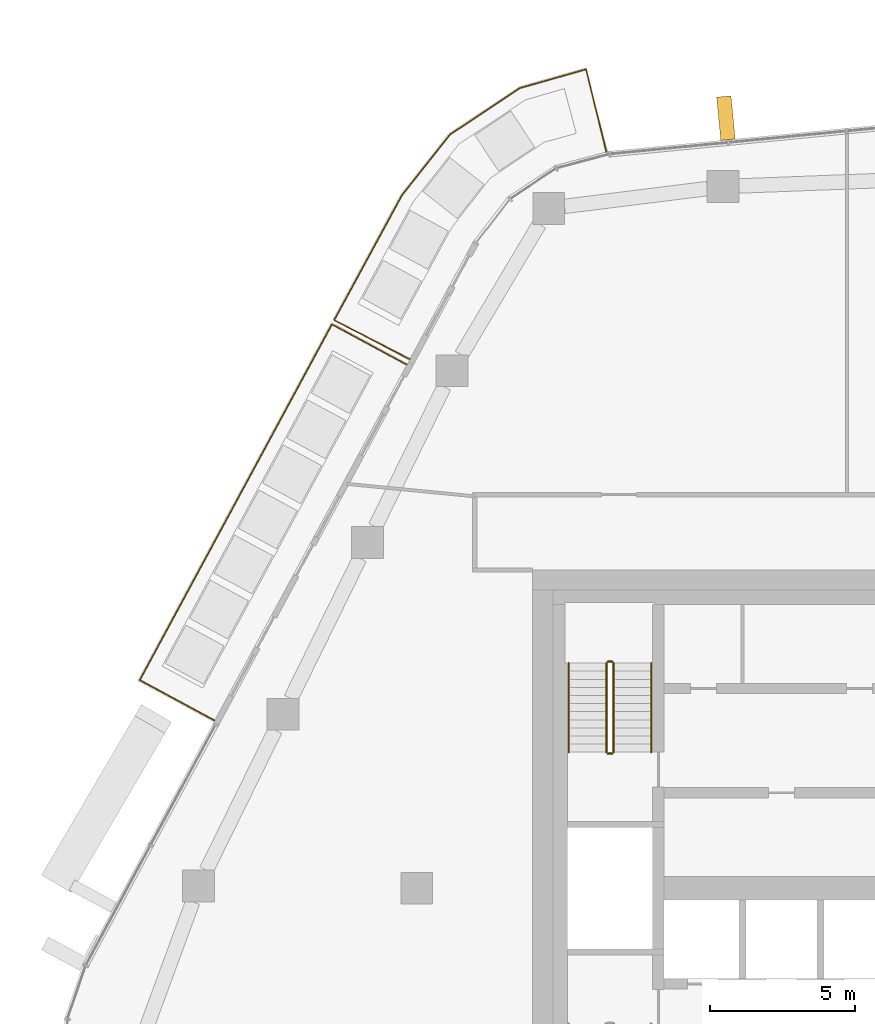
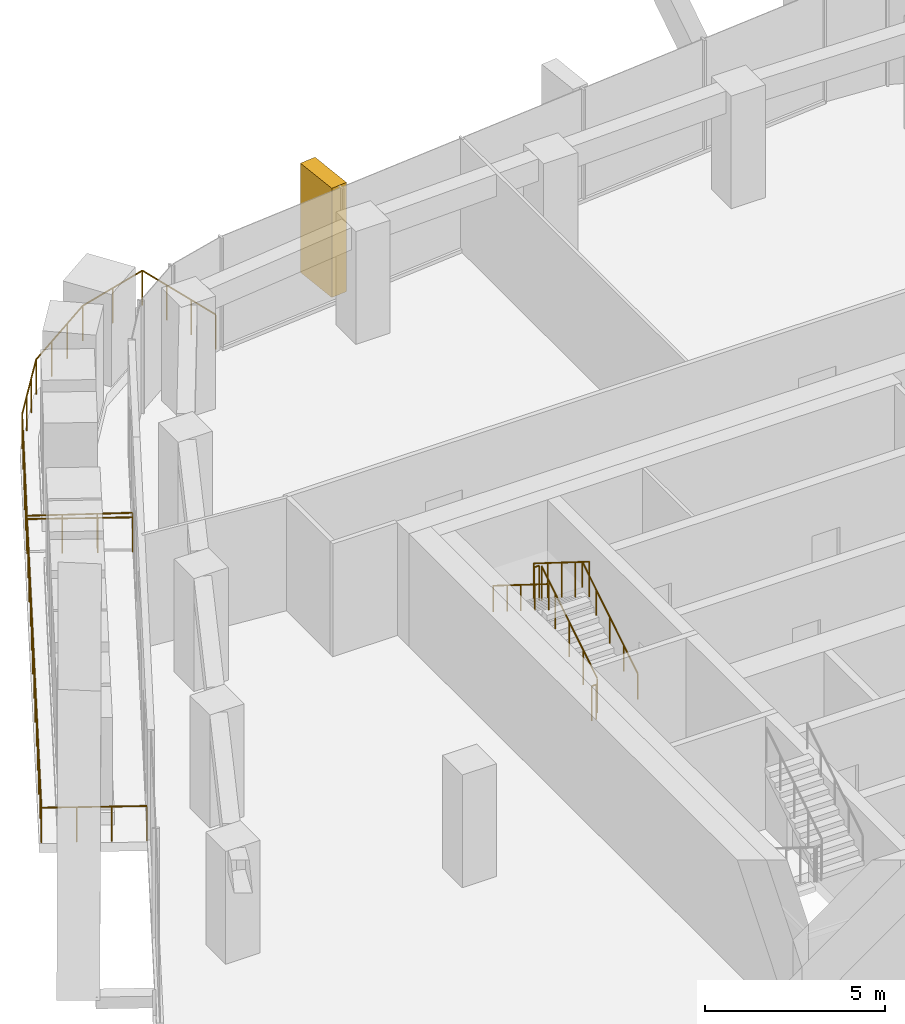
# One storey, part 18 of 20: 8 railings, 1 covering, 1 element without a shape of its own.
"""IFC4 building model written with IfcOpenShell, lengths in metres."""

from ifc_helpers import new_model, si_unit, direction, frame, origin, origin_2d, place, context, subcontext, project, spatial, rectangle, circle, extrude, material, layer, layer_set, material_profile, profile_set, type_object, element, aggregate, save


model = new_model("IFC4")

# Units and contexts
model_context = context("Model", 3, precision=1e-05, world=origin(), true_north=direction((0.0, 1.0)))
body_context = subcontext(model_context, "Body", "Model", "MODEL_VIEW")
ifc_project = project(units=[si_unit("LENGTHUNIT", "METRE"), si_unit("AREAUNIT", "SQUARE_METRE"), si_unit("VOLUMEUNIT", "CUBIC_METRE"), si_unit("PLANEANGLEUNIT", "RADIAN"), si_unit("MASSUNIT", "GRAM", prefix="KILO")], contexts=[model_context])

# Site, building, storey
site_placement = place(None, origin())
site = spatial("IfcSite", under=ifc_project, at=site_placement, CompositionType="ELEMENT")
building_placement = place(site_placement, origin())
building = spatial("IfcBuilding", under=site, at=building_placement, Name="Dongbaek Canopy Tower", CompositionType="ELEMENT")
storey_placement = place(building_placement, frame((0.0, 0.0, 253.800048828125)))
storey = spatial("IfcBuildingStorey", under=building, at=storey_placement, Name="L53", CompositionType="ELEMENT", Elevation=253.800048828125)

# Railings
ifc_material_1 = material(Name="Stainless steel", Category="steel")
railing_type_1 = type_object("IfcRailingType", Name="Balcony balustrade 1200", PredefinedType="BALUSTRADE", material=ifc_material_1)
railing_1_placement = place(storey_placement, frame((-18.34375, 18.087158203125, 0.0)))
element("IfcRailing", 1, at=railing_1_placement, inside=storey, type_object=railing_type_1, Name="Balcony guard L53 2", PredefinedType="BALUSTRADE", context=body_context, shape_type="SweptSolid", body=[
    extrude(circle(Radius=0.02392578125, at=origin_2d()), frame((0.0, 0.0, 1.17578125), z_axis=(-0.879899842687, 0.475159201572, 0.0), x_axis=(-0.475159201572, -0.879899842687, 0.0)), (0.0, 0.0, 1.0), 2.93994140625),
    extrude(circle(Radius=0.02392578125, at=origin_2d()), frame((-2.5869140625, 1.39697265625, 1.17578125), z_axis=(-0.475204117879, -0.879875585723, 0.0), x_axis=(0.879875585723, -0.475204117879, 0.0)), (0.0, 0.0, 1.0), 13.97021484375),
    extrude(circle(Radius=0.02392578125, at=origin_2d()), frame((-9.2255859375, -10.89501953125, 1.17578125), z_axis=(0.879899842687, -0.475159201572, 0.0), x_axis=(0.475159201572, 0.879899842687, 0.0)), (0.0, 0.0, 1.0), 2.93994140625),
    extrude(circle(Radius=0.02099609375, at=origin_2d()), origin(), (0.0, 0.0, 1.0), 1.15185546875),
    extrude(circle(Radius=0.02099609375, at=origin_2d()), frame((-0.8623046875, 0.465576171875, 0.0)), (0.0, 0.0, 1.0), 1.15185546875),
    extrude(circle(Radius=0.02099609375, at=origin_2d()), frame((-1.724609375, 0.931396484375, 0.0)), (0.0, 0.0, 1.0), 1.15185546875),
    extrude(circle(Radius=0.02099609375, at=origin_2d()), frame((-2.5869140625, 1.39697265625, 0.0)), (0.0, 0.0, 1.0), 1.15185546875),
    extrude(circle(Radius=0.02099609375, at=origin_2d()), frame((-3.14013671875, 0.37255859375, 0.0)), (0.0, 0.0, 1.0), 1.15185546875),
    extrude(circle(Radius=0.02099609375, at=origin_2d()), frame((-3.693359375, -0.651611328125, 0.0)), (0.0, 0.0, 1.0), 1.15185546875),
    extrude(circle(Radius=0.02099609375, at=origin_2d()), frame((-4.24658203125, -1.676025390625, 0.0)), (0.0, 0.0, 1.0), 1.15185546875),
    extrude(circle(Radius=0.02099609375, at=origin_2d()), frame((-4.7998046875, -2.700439453125, 0.0)), (0.0, 0.0, 1.0), 1.15185546875),
    extrude(circle(Radius=0.02099609375, at=origin_2d()), frame((-5.35302734375, -3.724609375, 0.0)), (0.0, 0.0, 1.0), 1.15185546875),
    extrude(circle(Radius=0.02099609375, at=origin_2d()), frame((-5.90625, -4.7490234375, 0.0)), (0.0, 0.0, 1.0), 1.15185546875),
    extrude(circle(Radius=0.02099609375, at=origin_2d()), frame((-6.45947265625, -5.7734375, 0.0)), (0.0, 0.0, 1.0), 1.15185546875),
    extrude(circle(Radius=0.02099609375, at=origin_2d()), frame((-7.0126953125, -6.797607421875, 0.0)), (0.0, 0.0, 1.0), 1.15185546875),
    extrude(circle(Radius=0.02099609375, at=origin_2d()), frame((-7.56591796875, -7.822021484375, 0.0)), (0.0, 0.0, 1.0), 1.15185546875),
    extrude(circle(Radius=0.02099609375, at=origin_2d()), frame((-8.119140625, -8.846435546875, 0.0)), (0.0, 0.0, 1.0), 1.15185546875),
    extrude(circle(Radius=0.02099609375, at=origin_2d()), frame((-8.67236328125, -9.87060546875, 0.0)), (0.0, 0.0, 1.0), 1.15185546875),
    extrude(circle(Radius=0.02099609375, at=origin_2d()), frame((-9.2255859375, -10.89501953125, 0.0)), (0.0, 0.0, 1.0), 1.15185546875),
    extrude(circle(Radius=0.02099609375, at=origin_2d()), frame((-8.36328125, -11.360595703125, 0.0)), (0.0, 0.0, 1.0), 1.15185546875),
    extrude(circle(Radius=0.02099609375, at=origin_2d()), frame((-7.5009765625, -11.826416015625, 0.0)), (0.0, 0.0, 1.0), 1.15185546875),
    extrude(circle(Radius=0.02099609375, at=origin_2d()), frame((-6.638671875, -12.2919921875, 0.0)), (0.0, 0.0, 1.0), 1.15185546875),
])
railing_2_placement = place(storey_placement, frame((-11.449951171875, 25.438232421875, 0.0)))
element("IfcRailing", 2, at=railing_2_placement, inside=storey, type_object=railing_type_1, Name="Balcony guard L53 6", PredefinedType="BALUSTRADE", context=body_context, shape_type="SweptSolid", body=[
    extrude(circle(Radius=0.02392578125, at=origin_2d()), frame((0.0, 0.0, 1.17578125), z_axis=(-0.237120549382, 0.971480234004, 0.0), x_axis=(-0.971480234004, -0.237120549382, 0.0)), (0.0, 0.0, 1.0), 2.940673828125),
    extrude(circle(Radius=0.02392578125, at=origin_2d()), frame((-0.697265625, 2.856689453125, 1.17578125), z_axis=(-0.962106970468, -0.272672289346, 0.0), x_axis=(0.272672289346, -0.962106970468, 0.0)), (0.0, 0.0, 1.0), 2.377197265625),
    extrude(circle(Radius=0.02392578125, at=origin_2d()), frame((-2.984375, 2.20849609375, 1.17578125), z_axis=(-0.833044753419, -0.553205602649, 0.0), x_axis=(0.553205602649, -0.833044753419, 0.0)), (0.0, 0.0, 1.0), 2.904296875),
    extrude(circle(Radius=0.02392578125, at=origin_2d()), frame((-5.40380859375, 0.601806640625, 1.17578125), z_axis=(-0.620498893161, -0.784207321813, 0.0), x_axis=(0.784207321813, -0.620498893161, 0.0)), (0.0, 0.0, 1.0), 2.66650390625),
    extrude(circle(Radius=0.02392578125, at=origin_2d()), frame((-7.058349609375, -1.4892578125, 1.17578125), z_axis=(-0.476956058282, -0.878927140592, 0.0), x_axis=(0.878927140592, -0.476956058282, 0.0)), (0.0, 0.0, 1.0), 4.919677734375),
    extrude(circle(Radius=0.02392578125, at=origin_2d()), frame((-9.40478515625, -5.813232421875, 1.17578125), z_axis=(0.889407399776, -0.457115387209, 0.0), x_axis=(0.457115387209, 0.889407399776, 0.0)), (0.0, 0.0, 1.0), 2.940673828125),
    extrude(circle(Radius=0.02099609375, at=origin_2d()), origin(), (0.0, 0.0, 1.0), 1.15185546875),
    extrude(circle(Radius=0.02099609375, at=origin_2d()), frame((-0.232421875, 0.9521484375, 0.0)), (0.0, 0.0, 1.0), 1.15185546875),
    extrude(circle(Radius=0.02099609375, at=origin_2d()), frame((-0.46484375, 1.904541015625, 0.0)), (0.0, 0.0, 1.0), 1.15185546875),
    extrude(circle(Radius=0.02099609375, at=origin_2d()), frame((-0.697265625, 2.856689453125, 0.0)), (0.0, 0.0, 1.0), 1.15185546875),
    extrude(circle(Radius=0.02099609375, at=origin_2d()), frame((-1.8408203125, 2.53271484375, 0.0)), (0.0, 0.0, 1.0), 1.15185546875),
    extrude(circle(Radius=0.02099609375, at=origin_2d()), frame((-2.984375, 2.20849609375, 0.0)), (0.0, 0.0, 1.0), 1.15185546875),
    extrude(circle(Radius=0.02099609375, at=origin_2d()), frame((-3.790771484375, 1.6728515625, 0.0)), (0.0, 0.0, 1.0), 1.15185546875),
    extrude(circle(Radius=0.02099609375, at=origin_2d()), frame((-4.597412109375, 1.137451171875, 0.0)), (0.0, 0.0, 1.0), 1.15185546875),
    extrude(circle(Radius=0.02099609375, at=origin_2d()), frame((-5.40380859375, 0.601806640625, 0.0)), (0.0, 0.0, 1.0), 1.15185546875),
    extrude(circle(Radius=0.02099609375, at=origin_2d()), frame((-5.955322265625, -0.09521484375, 0.0)), (0.0, 0.0, 1.0), 1.15185546875),
    extrude(circle(Radius=0.02099609375, at=origin_2d()), frame((-6.5068359375, -0.792236328125, 0.0)), (0.0, 0.0, 1.0), 1.15185546875),
    extrude(circle(Radius=0.02099609375, at=origin_2d()), frame((-7.058349609375, -1.4892578125, 0.0)), (0.0, 0.0, 1.0), 1.15185546875),
    extrude(circle(Radius=0.02099609375, at=origin_2d()), frame((-7.527587890625, -2.35400390625, 0.0)), (0.0, 0.0, 1.0), 1.15185546875),
    extrude(circle(Radius=0.02099609375, at=origin_2d()), frame((-7.996826171875, -3.21875, 0.0)), (0.0, 0.0, 1.0), 1.15185546875),
    extrude(circle(Radius=0.02099609375, at=origin_2d()), frame((-8.46630859375, -4.083740234375, 0.0)), (0.0, 0.0, 1.0), 1.15185546875),
    extrude(circle(Radius=0.02099609375, at=origin_2d()), frame((-8.935546875, -4.948486328125, 0.0)), (0.0, 0.0, 1.0), 1.15185546875),
    extrude(circle(Radius=0.02099609375, at=origin_2d()), frame((-9.40478515625, -5.813232421875, 0.0)), (0.0, 0.0, 1.0), 1.15185546875),
    extrude(circle(Radius=0.02099609375, at=origin_2d()), frame((-8.532958984375, -6.26123046875, 0.0)), (0.0, 0.0, 1.0), 1.15185546875),
    extrude(circle(Radius=0.02099609375, at=origin_2d()), frame((-7.6611328125, -6.70947265625, 0.0)), (0.0, 0.0, 1.0), 1.15185546875),
    extrude(circle(Radius=0.02099609375, at=origin_2d()), frame((-6.789306640625, -7.157470703125, 0.0)), (0.0, 0.0, 1.0), 1.15185546875),
])

# Curtain wall, covering
ifc_material_2 = material(Name="Aluminium 6063-T6 pale anodised", Category="aluminium")
ifc_layer = layer(ifc_material_2, 0.199951171875)
ifc_layer_set = layer_set([ifc_layer], Name="CW-1 unitised tower curtain wall")
curtain_wall_type = type_object("IfcCurtainWallType", Name="CW-1 unitised tower curtain wall", PredefinedType="NOTDEFINED", material=ifc_layer_set)
curtain_wall_placement = place(storey_placement, origin())
curtain_wall = element("IfcCurtainWall", 3, at=curtain_wall_placement, inside=storey, type_object=curtain_wall_type, Name="CW-1 curtain wall F1.1", PredefinedType="NOTDEFINED")
ifc_material_3 = material(Name="Aluminium 6063-T6 pale metal fin", Category="aluminium")
ifc_material_profile = material_profile(ifc_material_3, rectangle(XDim=1.5, YDim=0.5, at=origin_2d()), Name="Fin FN1 500 x 1500 pale metal")
ifc_profile_set = profile_set([ifc_material_profile], Name="Aluminium 6063-T6 pale metal fin")
covering_type = type_object("IfcCoveringType", Name="Fin FN1 500 x 1500 pale metal", PredefinedType="CLADDING", material=ifc_profile_set)
covering_placement = place(storey_placement, frame((-7.319580078125, 26.610107421875, 0.119873046875), z_axis=(0.0, 0.0, 1.0), x_axis=(-0.096505718384, 0.995332430055, 0.0)))
covering = element("IfcCovering", 4, at=covering_placement, type_object=covering_type, Name="Fin F1.1.5", PredefinedType="CLADDING", context=body_context, shape_type="SweptSolid", body=[
    extrude(rectangle(XDim=1.5, YDim=0.5, at=origin_2d()), origin(), (0.0, 0.0, 1.0), 3.7001953125),
])
aggregate(curtain_wall, [covering])

# Railings
ifc_material_4 = material(Name="Stainless steel tube and balusters", Category="steel")
railing_type_2 = type_object("IfcRailingType", Name="Stair guard 1200", PredefinedType="GUARDRAIL", material=ifc_material_4)
railing_3_placement = place(storey_placement, frame((-11.199951171875, 4.699951171875, 0.175048828125)))
element("IfcRailing", 5, at=railing_3_placement, inside=storey, type_object=railing_type_2, Name="L53 ST-C stair guard 1", PredefinedType="GUARDRAIL", context=body_context, shape_type="SweptSolid", body=[
    extrude(circle(Radius=0.02392578125, at=origin_2d()), frame((0.0, 0.0, 1.17578125), z_axis=(0.0, 0.848028513186, 0.529950602248), x_axis=(-1.0, 0.0, 0.0)), (0.0, 0.0, 1.0), 3.632080078125),
    extrude(circle(Radius=0.02099609375, at=origin_2d()), origin(), (0.0, 0.0, 1.0), 1.15185546875),
    extrude(circle(Radius=0.02099609375, at=origin_2d()), frame((0.0, 0.77001953125, 0.481201171875)), (0.0, 0.0, 1.0), 1.15185546875),
    extrude(circle(Radius=0.02099609375, at=origin_2d()), frame((0.0, 1.5400390625, 0.96240234375)), (0.0, 0.0, 1.0), 1.15185546875),
    extrude(circle(Radius=0.02099609375, at=origin_2d()), frame((0.0, 2.31005859375, 1.443603515625)), (0.0, 0.0, 1.0), 1.15185546875),
    extrude(circle(Radius=0.02099609375, at=origin_2d()), frame((0.0, 3.080078125, 1.9248046875)), (0.0, 0.0, 1.0), 1.15185546875),
])
railing_4_placement = place(storey_placement, frame((-11.25, 7.830078125, 2.099853515625)))
element("IfcRailing", 6, at=railing_4_placement, inside=storey, type_object=railing_type_2, Name="L53 ST-C stair guard 2", PredefinedType="GUARDRAIL", context=body_context, shape_type="SweptSolid", body=[
    extrude(circle(Radius=0.02392578125, at=origin_2d()), frame((0.0, 0.0, 1.17578125), z_axis=(-1.0, 0.0, 0.0), x_axis=(0.0, -1.0, 0.0)), (0.0, 0.0, 1.0), 0.14990234375),
    extrude(circle(Radius=0.02099609375, at=origin_2d()), origin(), (0.0, 0.0, 1.0), 1.15185546875),
    extrude(circle(Radius=0.02099609375, at=origin_2d()), frame((-0.14990234375, 0.0, 0.0)), (0.0, 0.0, 1.0), 1.15185546875),
])
railing_5_placement = place(storey_placement, frame((-11.449951171875, 7.780029296875, 2.27490234375)))
element("IfcRailing", 7, at=railing_5_placement, inside=storey, type_object=railing_type_2, Name="L53 ST-C stair guard 3", PredefinedType="GUARDRAIL", context=body_context, shape_type="SweptSolid", body=[
    extrude(circle(Radius=0.02392578125, at=origin_2d()), frame((0.0, 0.0, 1.17578125), z_axis=(0.0, -0.847998304005, 0.529998940003), x_axis=(1.0, 0.0, 0.0)), (0.0, 0.0, 1.0), 3.632080078125),
    extrude(circle(Radius=0.02099609375, at=origin_2d()), origin(), (0.0, 0.0, 1.0), 1.15185546875),
    extrude(circle(Radius=0.02099609375, at=origin_2d()), frame((0.0, -0.77001953125, 0.481201171875)), (0.0, 0.0, 1.0), 1.15185546875),
    extrude(circle(Radius=0.02099609375, at=origin_2d()), frame((0.0, -1.5400390625, 0.96240234375)), (0.0, 0.0, 1.0), 1.15185546875),
    extrude(circle(Radius=0.02099609375, at=origin_2d()), frame((0.0, -2.31005859375, 1.44384765625)), (0.0, 0.0, 1.0), 1.15185546875),
    extrude(circle(Radius=0.02099609375, at=origin_2d()), frame((0.0, -3.080078125, 1.925048828125)), (0.0, 0.0, 1.0), 1.15185546875),
])
railing_6_placement = place(storey_placement, frame((-11.25, 4.64990234375, 0.0)))
element("IfcRailing", 8, at=railing_6_placement, inside=storey, type_object=railing_type_2, Name="L53 ST-C stair guard 4", PredefinedType="GUARDRAIL", context=body_context, shape_type="SweptSolid", body=[
    extrude(circle(Radius=0.02392578125, at=origin_2d()), frame((0.0, 0.0, 1.17578125), z_axis=(-1.0, 0.0, 0.0), x_axis=(0.0, -1.0, 0.0)), (0.0, 0.0, 1.0), 0.14990234375),
    extrude(circle(Radius=0.02099609375, at=origin_2d()), origin(), (0.0, 0.0, 1.0), 1.15185546875),
    extrude(circle(Radius=0.02099609375, at=origin_2d()), frame((-0.14990234375, 0.0, 0.0)), (0.0, 0.0, 1.0), 1.15185546875),
])
ifc_material_5 = material(Name="Stainless steel tube", Category="steel")
railing_type_3 = type_object("IfcRailingType", Name="Stair handrail 900", PredefinedType="HANDRAIL", material=ifc_material_5)
railing_7_placement = place(storey_placement, frame((-9.89990234375, 4.699951171875, 0.175048828125)))
element("IfcRailing", 9, at=railing_7_placement, inside=storey, type_object=railing_type_3, Name="L53 ST-C stair handrail 1", PredefinedType="HANDRAIL", context=body_context, shape_type="SweptSolid", body=[
    extrude(circle(Radius=0.02392578125, at=origin_2d()), frame((0.0, 0.0, 0.8759765625), z_axis=(0.0, 0.848028513186, 0.529950602248), x_axis=(-1.0, 0.0, 0.0)), (0.0, 0.0, 1.0), 3.632080078125),
    extrude(circle(Radius=0.02099609375, at=origin_2d()), origin(), (0.0, 0.0, 1.0), 0.851806640625),
    extrude(circle(Radius=0.02099609375, at=origin_2d()), frame((0.0, 0.77001953125, 0.481201171875)), (0.0, 0.0, 1.0), 0.851806640625),
    extrude(circle(Radius=0.02099609375, at=origin_2d()), frame((0.0, 1.5400390625, 0.96240234375)), (0.0, 0.0, 1.0), 0.851806640625),
    extrude(circle(Radius=0.02099609375, at=origin_2d()), frame((0.0, 2.31005859375, 1.443603515625)), (0.0, 0.0, 1.0), 0.851806640625),
    extrude(circle(Radius=0.02099609375, at=origin_2d()), frame((0.0, 3.080078125, 1.9248046875)), (0.0, 0.0, 1.0), 0.851806640625),
])
railing_8_placement = place(storey_placement, frame((-12.75, 7.780029296875, 2.27490234375)))
element("IfcRailing", 10, at=railing_8_placement, inside=storey, type_object=railing_type_3, Name="L53 ST-C stair handrail 2", PredefinedType="HANDRAIL", context=body_context, shape_type="SweptSolid", body=[
    extrude(circle(Radius=0.02392578125, at=origin_2d()), frame((0.0, 0.0, 0.8759765625), z_axis=(0.0, -0.847998304005, 0.529998940003), x_axis=(1.0, 0.0, 0.0)), (0.0, 0.0, 1.0), 3.632080078125),
    extrude(circle(Radius=0.02099609375, at=origin_2d()), origin(), (0.0, 0.0, 1.0), 0.851806640625),
    extrude(circle(Radius=0.02099609375, at=origin_2d()), frame((0.0, -0.77001953125, 0.481201171875)), (0.0, 0.0, 1.0), 0.851806640625),
    extrude(circle(Radius=0.02099609375, at=origin_2d()), frame((0.0, -1.5400390625, 0.96240234375)), (0.0, 0.0, 1.0), 0.851806640625),
    extrude(circle(Radius=0.02099609375, at=origin_2d()), frame((0.0, -2.31005859375, 1.44384765625)), (0.0, 0.0, 1.0), 0.851806640625),
    extrude(circle(Radius=0.02099609375, at=origin_2d()), frame((0.0, -3.080078125, 1.925048828125)), (0.0, 0.0, 1.0), 0.851806640625),
])

save(model, "model.ifc")
